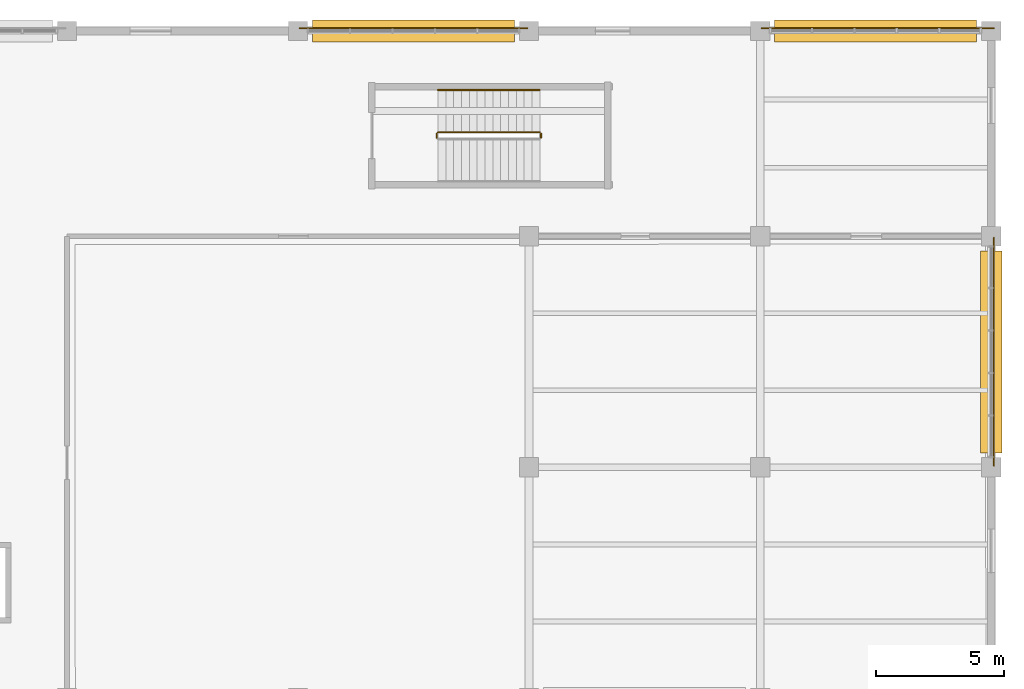
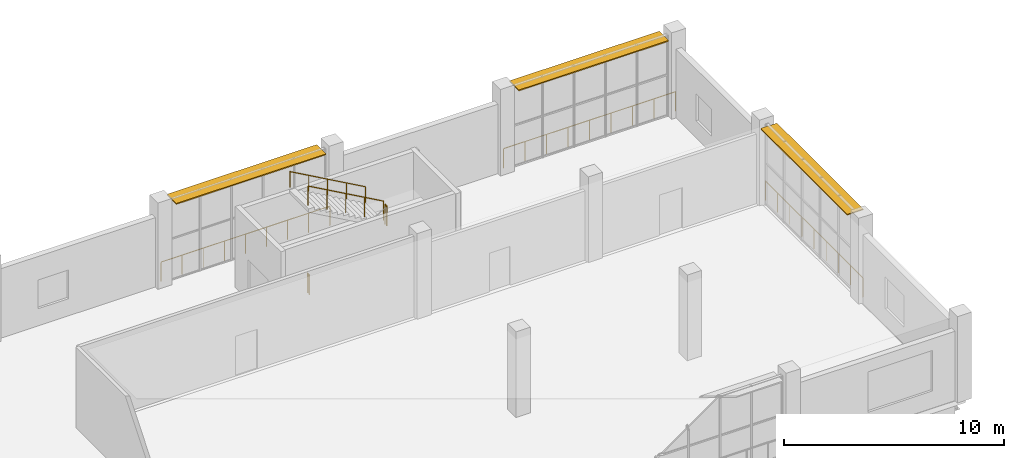
# One storey, part 178 of 179: 7 railings, 3 shading devices.
"""IFC4 building model written with IfcOpenShell, lengths in metres."""

from ifc_helpers import new_model, si_unit, direction, frame, origin, origin_2d, place, context, subcontext, project, spatial, rectangle, circle, extrude, material, layer, layer_set, type_object, element, save


model = new_model("IFC4")

# Units and contexts
model_context = context("Model", 3, precision=1e-05, world=origin(), true_north=direction((0.0, 1.0)))
body_context = subcontext(model_context, "Body", "Model", "MODEL_VIEW")
ifc_project = project(units=[si_unit("LENGTHUNIT", "METRE"), si_unit("AREAUNIT", "SQUARE_METRE"), si_unit("VOLUMEUNIT", "CUBIC_METRE"), si_unit("PLANEANGLEUNIT", "RADIAN"), si_unit("MASSUNIT", "GRAM", prefix="KILO")], contexts=[model_context])

# Site, building, storey
site_placement = place(None, origin())
site = spatial("IfcSite", under=ifc_project, at=site_placement, CompositionType="ELEMENT")
building_placement = place(site_placement, origin())
building = spatial("IfcBuilding", under=site, at=building_placement, Name="Zevraka Park Crest Stadium", CompositionType="ELEMENT")
storey_placement = place(building_placement, frame((0.0, 0.0, 10.199951171875)))
storey = spatial("IfcBuildingStorey", under=building, at=storey_placement, Name="L02", CompositionType="ELEMENT", Elevation=10.199951171875)

# Railings
ifc_material_1 = material(Name="Galvanised and bronze-finished steel balustrade", Category="steel")
railing_type_1 = type_object("IfcRailingType", Name="GR01", PredefinedType="GUARDRAIL", material=ifc_material_1)
railing_1_placement = place(storey_placement, frame((197.06591796875, 184.10498046875, 0.0)))
element("IfcRailing", 1, at=railing_1_placement, inside=storey, type_object=railing_type_1, Name="Deck Edge Protection Guardrail GR01 L02-13", PredefinedType="GUARDRAIL", context=body_context, shape_type="SweptSolid", body=[
    extrude(circle(Radius=0.02392578125, at=origin_2d()), frame((0.0, 0.0, 1.076171875), z_axis=(1.0, 0.0, 0.0), x_axis=(0.0, 1.0, 0.0)), (0.0, 0.0, 1.0), 8.8681640625),
    extrude(circle(Radius=0.02099609375, at=origin_2d()), origin(), (0.0, 0.0, 1.0), 1.052001953125),
    extrude(circle(Radius=0.02099609375, at=origin_2d()), frame((1.1083984375, 0.0, 0.0)), (0.0, 0.0, 1.0), 1.052001953125),
    extrude(circle(Radius=0.02099609375, at=origin_2d()), frame((2.217041015625, 0.0, 0.0)), (0.0, 0.0, 1.0), 1.052001953125),
    extrude(circle(Radius=0.02099609375, at=origin_2d()), frame((3.32568359375, 0.0, 0.0)), (0.0, 0.0, 1.0), 1.052001953125),
    extrude(circle(Radius=0.02099609375, at=origin_2d()), frame((4.43408203125, 0.0, 0.0)), (0.0, 0.0, 1.0), 1.052001953125),
    extrude(circle(Radius=0.02099609375, at=origin_2d()), frame((5.54248046875, 0.0, 0.0)), (0.0, 0.0, 1.0), 1.052001953125),
    extrude(circle(Radius=0.02099609375, at=origin_2d()), frame((6.651123046875, 0.0, 0.0)), (0.0, 0.0, 1.0), 1.052001953125),
    extrude(circle(Radius=0.02099609375, at=origin_2d()), frame((7.759765625, 0.0, 0.0)), (0.0, 0.0, 1.0), 1.052001953125),
    extrude(circle(Radius=0.02099609375, at=origin_2d()), frame((8.8681640625, 0.0, 0.0)), (0.0, 0.0, 1.0), 1.052001953125),
])
railing_2_placement = place(storey_placement, frame((215.06591796875, 184.10498046875, 0.0)))
element("IfcRailing", 2, at=railing_2_placement, inside=storey, type_object=railing_type_1, Name="Deck Edge Protection Guardrail GR01 L02-14", PredefinedType="GUARDRAIL", context=body_context, shape_type="SweptSolid", body=[
    extrude(circle(Radius=0.02392578125, at=origin_2d()), frame((0.0, 0.0, 1.076171875), z_axis=(1.0, 0.0, 0.0), x_axis=(0.0, 1.0, 0.0)), (0.0, 0.0, 1.0), 9.0390625),
    extrude(circle(Radius=0.02099609375, at=origin_2d()), origin(), (0.0, 0.0, 1.0), 1.052001953125),
    extrude(circle(Radius=0.02099609375, at=origin_2d()), frame((1.1298828125, 0.0, 0.0)), (0.0, 0.0, 1.0), 1.052001953125),
    extrude(circle(Radius=0.02099609375, at=origin_2d()), frame((2.259765625, 0.0, 0.0)), (0.0, 0.0, 1.0), 1.052001953125),
    extrude(circle(Radius=0.02099609375, at=origin_2d()), frame((3.3896484375, 0.0, 0.0)), (0.0, 0.0, 1.0), 1.052001953125),
    extrude(circle(Radius=0.02099609375, at=origin_2d()), frame((4.51953125, 0.0, 0.0)), (0.0, 0.0, 1.0), 1.052001953125),
    extrude(circle(Radius=0.02099609375, at=origin_2d()), frame((5.6494140625, 0.0, 0.0)), (0.0, 0.0, 1.0), 1.052001953125),
    extrude(circle(Radius=0.02099609375, at=origin_2d()), frame((6.779296875, 0.0, 0.0)), (0.0, 0.0, 1.0), 1.052001953125),
    extrude(circle(Radius=0.02099609375, at=origin_2d()), frame((7.9091796875, 0.0, 0.0)), (0.0, 0.0, 1.0), 1.052001953125),
    extrude(circle(Radius=0.02099609375, at=origin_2d()), frame((9.0390625, 0.0, 0.0)), (0.0, 0.0, 1.0), 1.052001953125),
])
railing_3_placement = place(storey_placement, frame((224.10498046875, 175.93408203125, 0.0)))
element("IfcRailing", 3, at=railing_3_placement, inside=storey, type_object=railing_type_1, Name="Deck Edge Protection Guardrail GR01 L02-15", PredefinedType="GUARDRAIL", context=body_context, shape_type="SweptSolid", body=[
    extrude(circle(Radius=0.02392578125, at=origin_2d()), frame((0.0, 0.0, 1.076171875), z_axis=(0.0, -1.0, 0.0), x_axis=(1.0, 0.0, 0.0)), (0.0, 0.0, 1.0), 8.8681640625),
    extrude(circle(Radius=0.02099609375, at=origin_2d()), origin(), (0.0, 0.0, 1.0), 1.052001953125),
    extrude(circle(Radius=0.02099609375, at=origin_2d()), frame((0.0, -1.1083984375, 0.0)), (0.0, 0.0, 1.0), 1.052001953125),
    extrude(circle(Radius=0.02099609375, at=origin_2d()), frame((0.0, -2.217041015625, 0.0)), (0.0, 0.0, 1.0), 1.052001953125),
    extrude(circle(Radius=0.02099609375, at=origin_2d()), frame((0.0, -3.32568359375, 0.0)), (0.0, 0.0, 1.0), 1.052001953125),
    extrude(circle(Radius=0.02099609375, at=origin_2d()), frame((0.0, -4.43408203125, 0.0)), (0.0, 0.0, 1.0), 1.052001953125),
    extrude(circle(Radius=0.02099609375, at=origin_2d()), frame((0.0, -5.54248046875, 0.0)), (0.0, 0.0, 1.0), 1.052001953125),
    extrude(circle(Radius=0.02099609375, at=origin_2d()), frame((0.0, -6.651123046875, 0.0)), (0.0, 0.0, 1.0), 1.052001953125),
    extrude(circle(Radius=0.02099609375, at=origin_2d()), frame((0.0, -7.759765625, 0.0)), (0.0, 0.0, 1.0), 1.052001953125),
    extrude(circle(Radius=0.02099609375, at=origin_2d()), frame((0.0, -8.8681640625, 0.0)), (0.0, 0.0, 1.0), 1.052001953125),
])
ifc_material_2 = material(Name="Powder-coated tubular steel stairwell guard", Category="steel")
railing_type_2 = type_object("IfcRailingType", Name="GR03", PredefinedType="GUARDRAIL", material=ifc_material_2)
railing_4_placement = place(storey_placement, frame((206.465087890625, 179.840087890625, 2.400146484375)))
element("IfcRailing", 4, at=railing_4_placement, inside=storey, type_object=railing_type_2, Name="L02 ST45 stair guard 2", PredefinedType="GUARDRAIL", context=body_context, shape_type="SweptSolid", body=[
    extrude(circle(Radius=0.02392578125, at=origin_2d()), frame((0.0, 0.0, 1.076171875), z_axis=(0.0, 1.0, 0.0), x_axis=(-1.0, 0.0, 0.0)), (0.0, 0.0, 1.0), 0.159912109375),
    extrude(circle(Radius=0.02099609375, at=origin_2d()), origin(), (0.0, 0.0, 1.0), 1.052001953125),
    extrude(circle(Radius=0.02099609375, at=origin_2d()), frame((0.0, 0.159912109375, 0.0)), (0.0, 0.0, 1.0), 1.052001953125),
])
railing_5_placement = place(storey_placement, frame((206.4150390625, 180.050048828125, 2.571533203125)))
element("IfcRailing", 5, at=railing_5_placement, inside=storey, type_object=railing_type_2, Name="L02 ST45 stair guard 3", PredefinedType="GUARDRAIL", context=body_context, shape_type="SweptSolid", body=[
    extrude(circle(Radius=0.02392578125, at=origin_2d()), frame((0.0, 0.0, 1.076171875), z_axis=(-0.871748933509, 0.0, 0.489952851738), x_axis=(0.0, -1.0, 0.0)), (0.0, 0.0, 1.0), 4.54833984375),
    extrude(circle(Radius=0.02099609375, at=origin_2d()), origin(), (0.0, 0.0, 1.0), 1.052001953125),
    extrude(circle(Radius=0.02099609375, at=origin_2d()), frame((-0.9912109375, 0.0, 0.55712890625)), (0.0, 0.0, 1.0), 1.052001953125),
    extrude(circle(Radius=0.02099609375, at=origin_2d()), frame((-1.982421875, 0.0, 1.1142578125)), (0.0, 0.0, 1.0), 1.052001953125),
    extrude(circle(Radius=0.02099609375, at=origin_2d()), frame((-2.973876953125, 0.0, 1.67138671875)), (0.0, 0.0, 1.0), 1.052001953125),
    extrude(circle(Radius=0.02099609375, at=origin_2d()), frame((-3.965087890625, 0.0, 2.228515625)), (0.0, 0.0, 1.0), 1.052001953125),
])
railing_6_placement = place(storey_placement, frame((202.39990234375, 179.840087890625, 0.0)))
element("IfcRailing", 6, at=railing_6_placement, inside=storey, type_object=railing_type_2, Name="L02 ST45 stair guard 4", PredefinedType="GUARDRAIL", context=body_context, shape_type="SweptSolid", body=[
    extrude(circle(Radius=0.02392578125, at=origin_2d()), frame((0.0, 0.0, 1.076171875), z_axis=(0.0, 1.0, 0.0), x_axis=(-1.0, 0.0, 0.0)), (0.0, 0.0, 1.0), 0.159912109375),
    extrude(circle(Radius=0.02099609375, at=origin_2d()), origin(), (0.0, 0.0, 1.0), 1.052001953125),
    extrude(circle(Radius=0.02099609375, at=origin_2d()), frame((0.0, 0.159912109375, 0.0)), (0.0, 0.0, 1.0), 1.052001953125),
])
ifc_material_3 = material(Name="Brushed stainless steel continuous handrail", Category="steel")
railing_type_3 = type_object("IfcRailingType", Name="HR01", PredefinedType="HANDRAIL", material=ifc_material_3)
railing_7_placement = place(storey_placement, frame((206.4150390625, 181.699951171875, 2.571533203125)))
element("IfcRailing", 7, at=railing_7_placement, inside=storey, type_object=railing_type_3, Name="L02 ST45 stair handrail 2", PredefinedType="HANDRAIL", context=body_context, shape_type="SweptSolid", body=[
    extrude(circle(Radius=0.02392578125, at=origin_2d()), frame((0.0, 0.0, 0.8759765625), z_axis=(-0.871748933509, 0.0, 0.489952851738), x_axis=(0.0, -1.0, 0.0)), (0.0, 0.0, 1.0), 4.54833984375),
    extrude(circle(Radius=0.02099609375, at=origin_2d()), origin(), (0.0, 0.0, 1.0), 0.851806640625),
    extrude(circle(Radius=0.02099609375, at=origin_2d()), frame((-0.9912109375, 0.0, 0.55712890625)), (0.0, 0.0, 1.0), 0.851806640625),
    extrude(circle(Radius=0.02099609375, at=origin_2d()), frame((-1.982421875, 0.0, 1.1142578125)), (0.0, 0.0, 1.0), 0.851806640625),
    extrude(circle(Radius=0.02099609375, at=origin_2d()), frame((-2.973876953125, 0.0, 1.67138671875)), (0.0, 0.0, 1.0), 0.851806640625),
    extrude(circle(Radius=0.02099609375, at=origin_2d()), frame((-3.965087890625, 0.0, 2.228515625)), (0.0, 0.0, 1.0), 0.851806640625),
])

# Shading devices
ifc_material_4 = material(Name="Architectural golden-bronze anodised bronze", Category="aluminium")
ifc_layer = layer(ifc_material_4, 0.06005859375)
ifc_layer_set = layer_set([ifc_layer], Name="Architectural golden-bronze anodised bronze")
shading_device_type = type_object("IfcShadingDeviceType", Name="SHD01", PredefinedType="USERDEFINED", material=ifc_layer_set)
for number, where, z_axis, x_axis, name in (
    (8, (201.5, 184.0, 4.419921875), (0.0, 0.0, 1.0), (1.0, 0.0, 0.0), "Wing Bronze Solar Screen SHD01 L02-NGATE-N-6"),
    (9, (219.5, 184.0, 4.419921875), (0.0, 0.0, 1.0), (1.0, 0.0, 0.0), "Wing Bronze Solar Screen SHD01 L02-NGATE-N-8"),
    (10, (224.0, 171.5, 4.419921875), (0.0, 0.0, 1.0), (0.0, -1.0, 0.0), "Wing Bronze Solar Screen SHD01 L02-NGATE-E-2"),
):
    element("IfcShadingDevice", number, at=place(storey_placement, frame(where, z_axis=z_axis, x_axis=x_axis)), inside=storey, type_object=shading_device_type, Name=name, ObjectType="SOLAR SCREEN", PredefinedType="USERDEFINED", context=body_context, shape_type="SweptSolid", body=[
        extrude(rectangle(XDim=7.8701171875, YDim=0.85009765625, at=origin_2d()), origin(), (0.0, 0.0, 1.0), 0.06005859375),
    ])

save(model, "model.ifc")
